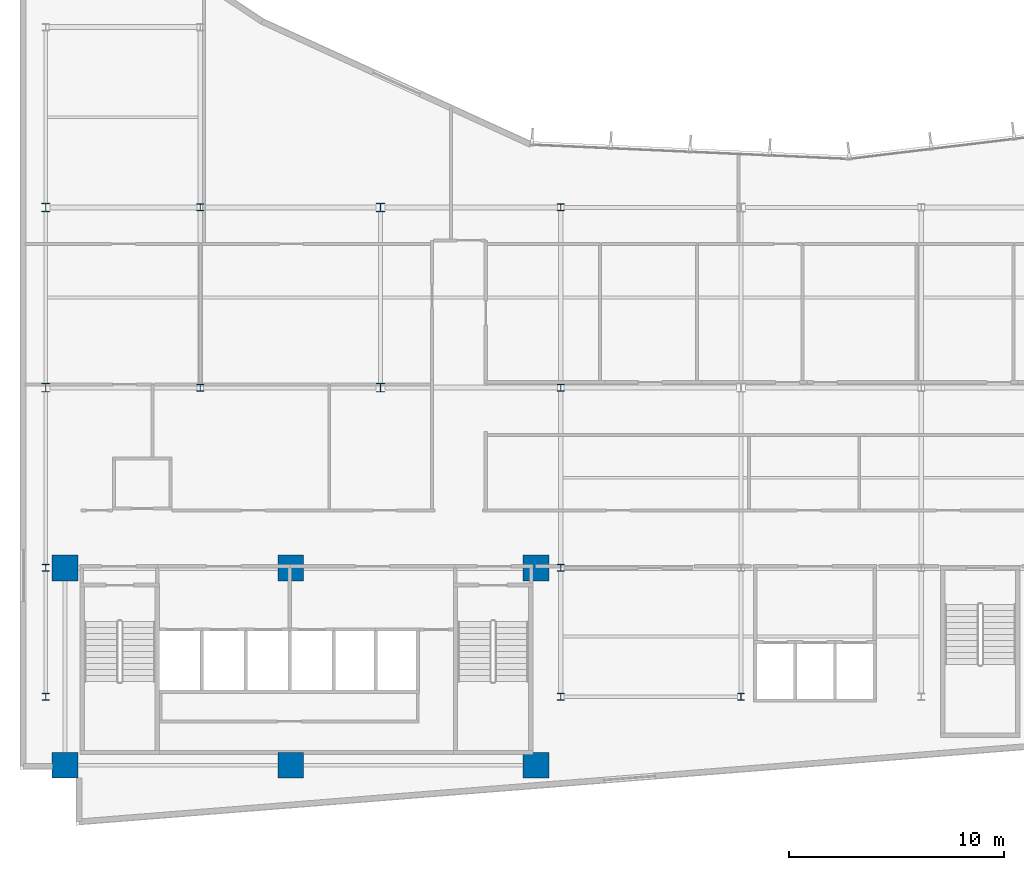
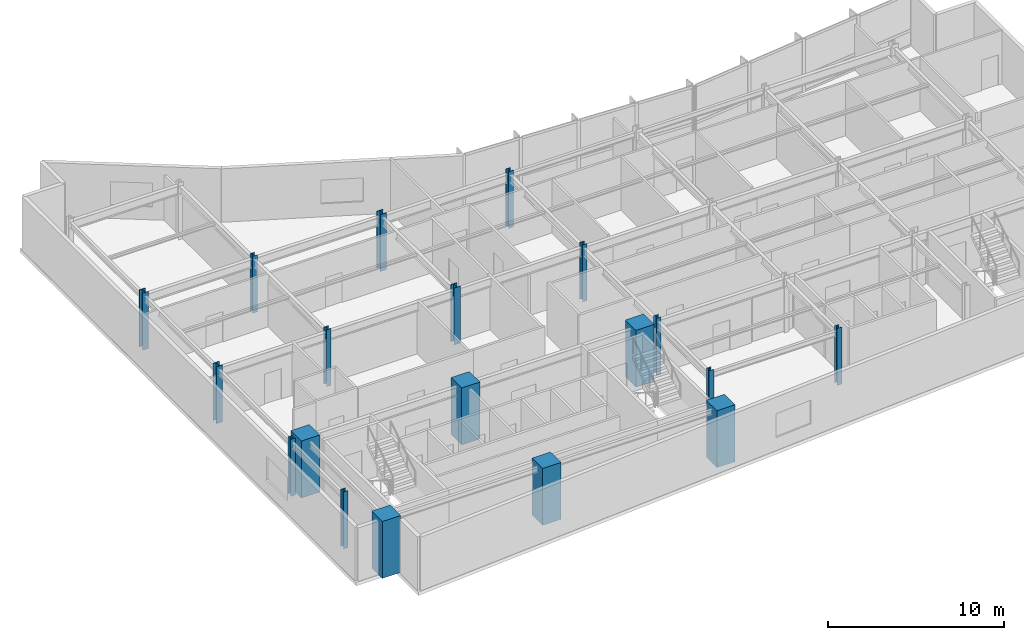
# One storey, part 1 of 17: 19 columns.
"""IFC4 building model written with IfcOpenShell, lengths in metres."""

from ifc_helpers import new_model, si_unit, direction, frame, origin, origin_2d, place, context, subcontext, project, spatial, rectangle, i_section, extrude, material, material_profile, profile_set, type_object, element, save


model = new_model("IFC4")

# Units and contexts
model_context = context("Model", 3, precision=1e-05, world=origin(), true_north=direction((0.0, 1.0)))
body_context = subcontext(model_context, "Body", "Model", "MODEL_VIEW")
ifc_project = project(units=[si_unit("LENGTHUNIT", "METRE"), si_unit("AREAUNIT", "SQUARE_METRE"), si_unit("VOLUMEUNIT", "CUBIC_METRE"), si_unit("PLANEANGLEUNIT", "RADIAN"), si_unit("MASSUNIT", "GRAM", prefix="KILO")], contexts=[model_context])

# Site, building, storey
site_placement = place(None, origin())
site = spatial("IfcSite", under=ifc_project, at=site_placement, CompositionType="ELEMENT")
building_placement = place(site_placement, origin())
building = spatial("IfcBuilding", under=site, at=building_placement, Name="Varnakote Quay Hospital", CompositionType="ELEMENT")
storey_placement = place(building_placement, frame((0.0, 0.0, 134.949951171875)))
storey = spatial("IfcBuildingStorey", under=building, at=storey_placement, Name="L33", CompositionType="ELEMENT", Elevation=134.949951171875)

# Columns
ifc_material_1 = material(Name="Concrete N80 (f'c 80 MPa)", Category="concrete")
ifc_material_profile_1 = material_profile(ifc_material_1, rectangle(XDim=1.199951171875, YDim=1.199951171875, at=origin_2d()), Name="RC-COL-1200x1200")
ifc_profile_set_1 = profile_set([ifc_material_profile_1], Name="Concrete N80 (f'c 80 MPa)")
column_type_1 = type_object("IfcColumnType", Name="COL-RC-1200", PredefinedType="COLUMN", material=ifc_profile_set_1)
for number, where, z_axis, x_axis, name in (
    (1, (2.10009765625, 2.800048828125, 0.0), (0.0, 0.0, 1.0), (1.0, 0.0, 0.0), "L33 Structural Column C-2-3"),
    (2, (12.6201171875, 2.800048828125, 0.0), (0.0, 0.0, 1.0), (1.0, 0.0, 0.0), "L33 Structural Column C-13-3"),
    (3, (24.050048828125, 2.800048828125, 0.0), (0.0, 0.0, 1.0), (1.0, 0.0, 0.0), "L33 Structural Column C-24-3"),
    (4, (2.10009765625, 12.0, 0.0), (0.0, 0.0, 1.0), (1.0, 0.0, 0.0), "L33 Structural Column C-2-12"),
    (5, (12.6201171875, 12.0, 0.0), (0.0, 0.0, 1.0), (1.0, 0.0, 0.0), "L33 Structural Column C-13-12"),
    (6, (24.050048828125, 12.0, 0.0), (0.0, 0.0, 1.0), (1.0, 0.0, 0.0), "L33 Structural Column C-24-12"),
):
    element("IfcColumn", number, at=place(storey_placement, frame(where, z_axis=z_axis, x_axis=x_axis)), inside=storey, type_object=column_type_1, Name=name, PredefinedType="COLUMN", context=body_context, shape_type="SweptSolid", body=[
        extrude(rectangle(XDim=1.199951171875, YDim=1.199951171875, at=origin_2d()), origin(), (0.0, 0.0, 1.0), 3.949951171875),
    ])
ifc_material_2 = material(Name="Structural steel AS/NZS 3679.1 Grade 350 L0 (fy 340 MPa)", Category="steel")
ifc_material_profile_2 = material_profile(ifc_material_2, i_section(OverallWidth=0.30908203125, OverallDepth=0.321044921875, WebThickness=0.013916015625, FlangeThickness=0.021728515625, FilletRadius=0.0166015625, at=origin_2d()), Name="310UC137")
ifc_profile_set_2 = profile_set([ifc_material_profile_2], Name="Structural steel AS/NZS 3679.1 Grade 350 L0 (fy 340 MPa)")
column_type_2 = type_object("IfcColumnType", Name="COL-STL-310UC137", PredefinedType="COLUMN", material=ifc_profile_set_2)
for number, where, z_axis, x_axis, name in (
    (7, (1.199951171875, 6.0, 0.0), (0.0, 0.0, 1.0), (1.0, 0.0, 0.0), "L33 Structural Column C-1-6"),
    (8, (25.199951171875, 6.0, 0.0), (0.0, 0.0, 1.0), (1.0, 0.0, 0.0), "L33 Structural Column C-25-6"),
    (9, (33.60009765625, 6.0, 0.0), (0.0, 0.0, 1.0), (1.0, 0.0, 0.0), "L33 Structural Column C-34-6"),
    (10, (1.199951171875, 12.0, 0.0), (0.0, 0.0, 1.0), (1.0, 0.0, 0.0), "L33 Structural Column C-1-12"),
    (11, (25.199951171875, 12.0, 0.0), (0.0, 0.0, 1.0), (1.0, 0.0, 0.0), "L33 Structural Column C-25-12"),
    (12, (8.39990234375, 20.39990234375, 0.0), (0.0, 0.0, 1.0), (1.0, 0.0, 0.0), "L33 Structural Column C-8-20"),
    (13, (25.199951171875, 20.39990234375, 0.0), (0.0, 0.0, 1.0), (1.0, 0.0, 0.0), "L33 Structural Column C-25-20"),
    (14, (8.39990234375, 28.800048828125, 0.0), (0.0, 0.0, 1.0), (1.0, 0.0, 0.0), "L33 Structural Column C-8-29"),
    (15, (25.199951171875, 28.800048828125, 0.0), (0.0, 0.0, 1.0), (1.0, 0.0, 0.0), "L33 Structural Column C-25-29"),
):
    element("IfcColumn", number, at=place(storey_placement, frame(where, z_axis=z_axis, x_axis=x_axis)), inside=storey, type_object=column_type_2, Name=name, PredefinedType="COLUMN", context=body_context, shape_type="SweptSolid", body=[
        extrude(i_section(OverallWidth=0.30908203125, OverallDepth=0.321044921875, WebThickness=0.013916015625, FlangeThickness=0.021728515625, FilletRadius=0.0166015625, at=origin_2d()), origin(), (0.0, 0.0, 1.0), 3.949951171875),
    ])
ifc_material_3 = material(Name="Structural steel AS/NZS 3678 Grade 350 (fy 340 MPa)", Category="steel")
ifc_material_profile_3 = material_profile(ifc_material_3, i_section(OverallWidth=0.39990234375, OverallDepth=0.419921875, WebThickness=0.02490234375, FlangeThickness=0.0400390625, at=origin_2d()), Name="400WC328")
ifc_profile_set_3 = profile_set([ifc_material_profile_3], Name="Structural steel AS/NZS 3678 Grade 350 (fy 340 MPa)")
column_type_3 = type_object("IfcColumnType", Name="COL-STL-400WC328", PredefinedType="COLUMN", material=ifc_profile_set_3)
for number, where, z_axis, x_axis, name in (
    (16, (1.199951171875, 20.39990234375, 0.0), (0.0, 0.0, 1.0), (1.0, 0.0, 0.0), "L33 Structural Column C-1-20"),
    (17, (16.800048828125, 20.39990234375, 0.0), (0.0, 0.0, 1.0), (1.0, 0.0, 0.0), "L33 Structural Column C-17-20"),
    (18, (1.199951171875, 28.800048828125, 0.0), (0.0, 0.0, 1.0), (1.0, 0.0, 0.0), "L33 Structural Column C-1-29"),
    (19, (16.800048828125, 28.800048828125, 0.0), (0.0, 0.0, 1.0), (1.0, 0.0, 0.0), "L33 Structural Column C-17-29"),
):
    element("IfcColumn", number, at=place(storey_placement, frame(where, z_axis=z_axis, x_axis=x_axis)), inside=storey, type_object=column_type_3, Name=name, PredefinedType="COLUMN", context=body_context, shape_type="SweptSolid", body=[
        extrude(i_section(OverallWidth=0.39990234375, OverallDepth=0.419921875, WebThickness=0.02490234375, FlangeThickness=0.0400390625, at=origin_2d()), origin(), (0.0, 0.0, 1.0), 3.949951171875),
    ])

save(model, "model.ifc")
